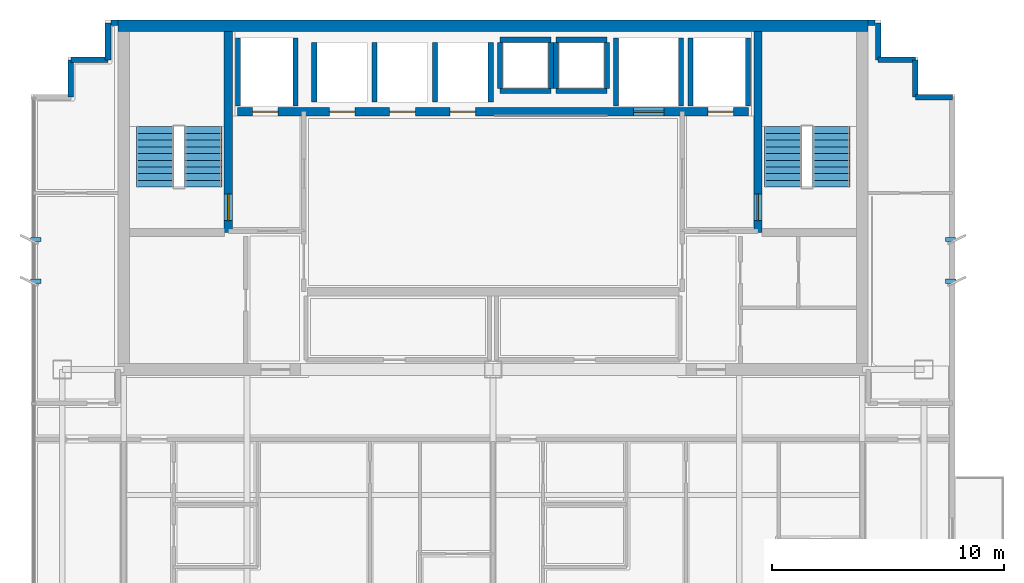
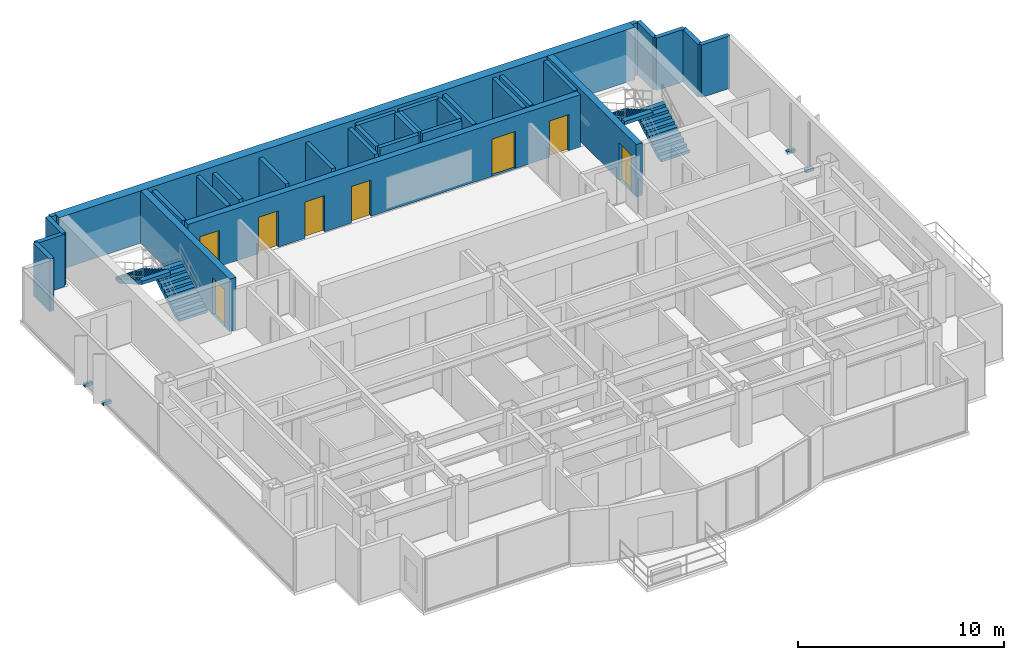
# One storey, part 9 of 11: 31 walls, 8 doors, 4 discrete accessories, 4 stair flights, 8 openings, 2 elements without a shape of their own.
"""IFC4 building model written with IfcOpenShell, lengths in metres."""

from ifc_helpers import new_model, si_unit, direction, frame, frame_2d, origin, origin_2d, place, context, subcontext, project, spatial, polyline, rectangle, outline, extrude, source, transform, mapped, material, layer, layer_set, type_object, element, fill, aggregate, save


model = new_model("IFC4")

# Units and contexts
model_context = context("Model", 3, precision=1e-05, world=origin(), true_north=direction((0.0, 1.0)))
body_context = subcontext(model_context, "Body", "Model", "MODEL_VIEW")
ifc_project = project(units=[si_unit("LENGTHUNIT", "METRE"), si_unit("AREAUNIT", "SQUARE_METRE"), si_unit("VOLUMEUNIT", "CUBIC_METRE"), si_unit("PLANEANGLEUNIT", "RADIAN"), si_unit("MASSUNIT", "GRAM", prefix="KILO")], contexts=[model_context])

# Site, building, storey
site_placement = place(None, origin())
site = spatial("IfcSite", under=ifc_project, at=site_placement, CompositionType="ELEMENT")
building_placement = place(site_placement, origin())
building = spatial("IfcBuilding", under=site, at=building_placement, Name="Qianlan Lanfeng Residences", CompositionType="ELEMENT")
storey_placement = place(building_placement, frame((0.0, 0.0, 226.39990234375)))
storey = spatial("IfcBuildingStorey", under=building, at=storey_placement, Name="L62", CompositionType="ELEMENT", Elevation=226.39990234375)

# Wall, opening, door
ifc_material_1 = material(Name="Concrete C49", Category="concrete")
ifc_layer_1 = layer(ifc_material_1, 0.35009765625)
ifc_layer_set_1 = layer_set([ifc_layer_1], Name="Concrete C49")
wall_type_1 = type_object("IfcWallType", Name="CW-RC-350", PredefinedType="SHEAR", material=ifc_layer_set_1)
wall_1_placement = place(storey_placement, frame((15.10009765625, 31.10009765625, 0.0), z_axis=(0.0, 0.0, 1.0), x_axis=(0.0, 1.0, 0.0)))
wall_1 = element("IfcWall", 1, at=wall_1_placement, inside=storey, type_object=wall_type_1, Name="L62 Core Shear Wall ST1E", PredefinedType="SHEAR", context=body_context, shape_type="SweptSolid", body=[
    extrude(rectangle(XDim=8.64990234375, YDim=0.35009765625, at=frame_2d((4.324951171875, 0.0))), origin(), (0.0, 0.0, 1.0), 3.110107421875),
])
opening_1_placement = place(wall_1_placement, frame((0.510009765625, 0.0, 0.0)))
opening_1 = element("IfcOpeningElement", 2, at=opening_1_placement, cuts=wall_1, Name="Opening L62-D07", PredefinedType="OPENING", context=body_context, shape_type="SweptSolid", body=[
    extrude(rectangle(XDim=1.14990234375, YDim=2.199951171875, at=frame_2d((0.574951171875, 1.10009765625))), frame((0.0, 0.18505859375, 0.0), z_axis=(0.0, -1.0, 0.0), x_axis=(1.0, 0.0, 0.0)), (0.0, 0.0, 1.0), 0.3701171875),
])
ifc_material_2 = material(Name="Painted Galvanised Steel Fire Door", Category="steel")
door_type_1 = type_object("IfcDoorType", Name="DT-ST1", OperationType="NOTDEFINED", PredefinedType="DOOR", material=ifc_material_2)
door_1_placement = place(opening_1_placement, frame((1.14990234375, 0.0, 0.0), z_axis=(0.0, 0.0, 1.0), x_axis=(-1.0, 0.0, 0.0)))
door_1 = element("IfcDoor", 3, at=door_1_placement, inside=storey, type_object=door_type_1, Name="L62 Exit Stair ST-1 Door L62-D07 (DT-ST1)", OperationType="SINGLE_SWING_RIGHT", OverallHeight=2.199951171875, OverallWidth=1.14990234375, PredefinedType="DOOR", context=body_context, shape_type="SweptSolid", body=[
    extrude(rectangle(XDim=1.14990234375, YDim=2.199951171875, at=frame_2d((0.574951171875, 1.10009765625))), frame((0.0, 0.02490234375, 0.0), z_axis=(0.0, -1.0, 0.0), x_axis=(1.0, 0.0, 0.0)), (0.0, 0.0, 1.0), 0.050048828125),
])
fill(opening_1, door_1)

wall_2_placement = place(storey_placement, frame((37.89990234375, 31.10009765625, 0.0), z_axis=(0.0, 0.0, 1.0), x_axis=(0.0, 1.0, 0.0)))
wall_2 = element("IfcWall", 4, at=wall_2_placement, inside=storey, type_object=wall_type_1, Name="L62 Core Shear Wall ST2W", PredefinedType="SHEAR", context=body_context, shape_type="SweptSolid", body=[
    extrude(rectangle(XDim=8.64990234375, YDim=0.35009765625, at=frame_2d((4.324951171875, 0.0))), origin(), (0.0, 0.0, 1.0), 3.110107421875),
])
opening_2_placement = place(wall_2_placement, frame((0.510009765625, 0.0, 0.0)))
opening_2 = element("IfcOpeningElement", 5, at=opening_2_placement, cuts=wall_2, Name="Opening L62-D08", PredefinedType="OPENING", context=body_context, shape_type="SweptSolid", body=[
    extrude(rectangle(XDim=1.14990234375, YDim=2.199951171875, at=frame_2d((0.574951171875, 1.10009765625))), frame((0.0, 0.18505859375, 0.0), z_axis=(0.0, -1.0, 0.0), x_axis=(1.0, 0.0, 0.0)), (0.0, 0.0, 1.0), 0.3701171875),
])
door_2_placement = place(opening_2_placement, origin())
door_2 = element("IfcDoor", 6, at=door_2_placement, inside=storey, type_object=door_type_1, Name="L62 Exit Stair ST-2 Door L62-D08 (DT-ST1)", OperationType="SINGLE_SWING_RIGHT", OverallHeight=2.199951171875, OverallWidth=1.14990234375, PredefinedType="DOOR", context=body_context, shape_type="SweptSolid", body=[
    extrude(rectangle(XDim=1.14990234375, YDim=2.199951171875, at=frame_2d((0.574951171875, 1.10009765625))), frame((0.0, 0.02490234375, 0.0), z_axis=(0.0, -1.0, 0.0), x_axis=(1.0, 0.0, 0.0)), (0.0, 0.0, 1.0), 0.050048828125),
])
fill(opening_2, door_2)

# Wall, openings, doors
wall_3_placement = place(storey_placement, frame((15.5, 36.300048828125, 0.0), z_axis=(0.0, 0.0, 1.0), x_axis=(1.0, 0.0, 0.0)))
wall_3 = element("IfcWall", 7, at=wall_3_placement, inside=storey, type_object=wall_type_1, Name="L62 Core Shear Wall LBN", PredefinedType="SHEAR", context=body_context, shape_type="SweptSolid", body=[
    extrude(rectangle(XDim=22.0, YDim=0.35009765625, at=frame_2d((11.0, 0.0))), origin(), (0.0, 0.0, 1.0), 3.110107421875),
])
opening_3_placement = place(wall_3_placement, frame((0.64990234375, 0.0, 0.0)))
opening_3 = element("IfcOpeningElement", 8, at=opening_3_placement, cuts=wall_3, Name="Opening L62-LD-FFL-1", PredefinedType="OPENING", context=body_context, shape_type="SweptSolid", body=[
    extrude(rectangle(XDim=1.10009765625, YDim=2.14990234375, at=frame_2d((0.550048828125, 1.074951171875))), frame((0.0, 0.18505859375, 0.0), z_axis=(0.0, -1.0, 0.0), x_axis=(1.0, 0.0, 0.0)), (0.0, 0.0, 1.0), 0.3701171875),
])
opening_4_placement = place(wall_3_placement, frame((20.25, 0.0, 0.0)))
opening_4 = element("IfcOpeningElement", 9, at=opening_4_placement, cuts=wall_3, Name="Opening L62-LD-FFL-2", PredefinedType="OPENING", context=body_context, shape_type="SweptSolid", body=[
    extrude(rectangle(XDim=1.10009765625, YDim=2.14990234375, at=frame_2d((0.550048828125, 1.074951171875))), frame((0.0, 0.18505859375, 0.0), z_axis=(0.0, -1.0, 0.0), x_axis=(1.0, 0.0, 0.0)), (0.0, 0.0, 1.0), 0.3701171875),
])
opening_5_placement = place(wall_3_placement, frame((17.050048828125, 0.0, 0.0)))
opening_5 = element("IfcOpeningElement", 10, at=opening_5_placement, cuts=wall_3, Name="Opening L62-LD-SVL-1", PredefinedType="OPENING", context=body_context, shape_type="SweptSolid", body=[
    extrude(rectangle(XDim=1.300048828125, YDim=2.199951171875, at=frame_2d((0.64990234375, 1.10009765625))), frame((0.0, 0.18505859375, 0.0), z_axis=(0.0, -1.0, 0.0), x_axis=(1.0, 0.0, 0.0)), (0.0, 0.0, 1.0), 0.3701171875),
])
opening_6_placement = place(wall_3_placement, frame((3.949951171875, 0.0, 0.0)))
opening_6 = element("IfcOpeningElement", 11, at=opening_6_placement, cuts=wall_3, Name="Opening L62-LD-PL-H1", PredefinedType="OPENING", context=body_context, shape_type="SweptSolid", body=[
    extrude(rectangle(XDim=1.10009765625, YDim=2.14990234375, at=frame_2d((0.550048828125, 1.074951171875))), frame((0.0, 0.18505859375, 0.0), z_axis=(0.0, -1.0, 0.0), x_axis=(1.0, 0.0, 0.0)), (0.0, 0.0, 1.0), 0.3701171875),
])
opening_7_placement = place(wall_3_placement, frame((6.550048828125, 0.0, 0.0)))
opening_7 = element("IfcOpeningElement", 12, at=opening_7_placement, cuts=wall_3, Name="Opening L62-LD-PL-H2", PredefinedType="OPENING", context=body_context, shape_type="SweptSolid", body=[
    extrude(rectangle(XDim=1.10009765625, YDim=2.14990234375, at=frame_2d((0.550048828125, 1.074951171875))), frame((0.0, 0.18505859375, 0.0), z_axis=(0.0, -1.0, 0.0), x_axis=(1.0, 0.0, 0.0)), (0.0, 0.0, 1.0), 0.3701171875),
])
opening_8_placement = place(wall_3_placement, frame((9.14990234375, 0.0, 0.0)))
opening_8 = element("IfcOpeningElement", 13, at=opening_8_placement, cuts=wall_3, Name="Opening L62-LD-PL-H3", PredefinedType="OPENING", context=body_context, shape_type="SweptSolid", body=[
    extrude(rectangle(XDim=1.10009765625, YDim=2.14990234375, at=frame_2d((0.550048828125, 1.074951171875))), frame((0.0, 0.18505859375, 0.0), z_axis=(0.0, -1.0, 0.0), x_axis=(1.0, 0.0, 0.0)), (0.0, 0.0, 1.0), 0.3701171875),
])
ifc_material_3 = material(Name="Brushed Stainless Steel Sliding Lift Door", Category="steel")
door_type_2 = type_object("IfcDoorType", Name="LD-01", OperationType="NOTDEFINED", PredefinedType="DOOR", material=ifc_material_3)
door_3_placement = place(opening_3_placement, frame((1.10009765625, 0.0, 0.0), z_axis=(0.0, 0.0, 1.0), x_axis=(-1.0, 0.0, 0.0)))
door_3 = element("IfcDoor", 14, at=door_3_placement, inside=storey, type_object=door_type_2, Name="L62 Elevator FFL-1 Sliding Landing Door", OperationType="DOUBLE_DOOR_SLIDING", OverallHeight=2.14990234375, OverallWidth=1.10009765625, PredefinedType="DOOR", context=body_context, shape_type="SweptSolid", body=[
    extrude(rectangle(XDim=1.10009765625, YDim=2.14990234375, at=frame_2d((0.550048828125, 1.074951171875))), frame((0.0, 0.02490234375, 0.0), z_axis=(0.0, -1.0, 0.0), x_axis=(1.0, 0.0, 0.0)), (0.0, 0.0, 1.0), 0.050048828125),
])
fill(opening_3, door_3)
door_4_placement = place(opening_4_placement, frame((1.10009765625, 0.0, 0.0), z_axis=(0.0, 0.0, 1.0), x_axis=(-1.0, 0.0, 0.0)))
door_4 = element("IfcDoor", 15, at=door_4_placement, inside=storey, type_object=door_type_2, Name="L62 Elevator FFL-2 Sliding Landing Door", OperationType="DOUBLE_DOOR_SLIDING", OverallHeight=2.14990234375, OverallWidth=1.10009765625, PredefinedType="DOOR", context=body_context, shape_type="SweptSolid", body=[
    extrude(rectangle(XDim=1.10009765625, YDim=2.14990234375, at=frame_2d((0.550048828125, 1.074951171875))), frame((0.0, 0.02490234375, 0.0), z_axis=(0.0, -1.0, 0.0), x_axis=(1.0, 0.0, 0.0)), (0.0, 0.0, 1.0), 0.050048828125),
])
fill(opening_4, door_4)
door_5_placement = place(opening_6_placement, frame((1.10009765625, 0.0, 0.0), z_axis=(0.0, 0.0, 1.0), x_axis=(-1.0, 0.0, 0.0)))
door_5 = element("IfcDoor", 16, at=door_5_placement, inside=storey, type_object=door_type_2, Name="L62 Elevator PL-H1 Sliding Landing Door", OperationType="DOUBLE_DOOR_SLIDING", OverallHeight=2.14990234375, OverallWidth=1.10009765625, PredefinedType="DOOR", context=body_context, shape_type="SweptSolid", body=[
    extrude(rectangle(XDim=1.10009765625, YDim=2.14990234375, at=frame_2d((0.550048828125, 1.074951171875))), frame((0.0, 0.02490234375, 0.0), z_axis=(0.0, -1.0, 0.0), x_axis=(1.0, 0.0, 0.0)), (0.0, 0.0, 1.0), 0.050048828125),
])
fill(opening_6, door_5)
door_6_placement = place(opening_7_placement, frame((1.10009765625, 0.0, 0.0), z_axis=(0.0, 0.0, 1.0), x_axis=(-1.0, 0.0, 0.0)))
door_6 = element("IfcDoor", 17, at=door_6_placement, inside=storey, type_object=door_type_2, Name="L62 Elevator PL-H2 Sliding Landing Door", OperationType="DOUBLE_DOOR_SLIDING", OverallHeight=2.14990234375, OverallWidth=1.10009765625, PredefinedType="DOOR", context=body_context, shape_type="SweptSolid", body=[
    extrude(rectangle(XDim=1.10009765625, YDim=2.14990234375, at=frame_2d((0.550048828125, 1.074951171875))), frame((0.0, 0.02490234375, 0.0), z_axis=(0.0, -1.0, 0.0), x_axis=(1.0, 0.0, 0.0)), (0.0, 0.0, 1.0), 0.050048828125),
])
fill(opening_7, door_6)
door_7_placement = place(opening_8_placement, frame((1.10009765625, 0.0, 0.0), z_axis=(0.0, 0.0, 1.0), x_axis=(-1.0, 0.0, 0.0)))
door_7 = element("IfcDoor", 18, at=door_7_placement, inside=storey, type_object=door_type_2, Name="L62 Elevator PL-H3 Sliding Landing Door", OperationType="DOUBLE_DOOR_SLIDING", OverallHeight=2.14990234375, OverallWidth=1.10009765625, PredefinedType="DOOR", context=body_context, shape_type="SweptSolid", body=[
    extrude(rectangle(XDim=1.10009765625, YDim=2.14990234375, at=frame_2d((0.550048828125, 1.074951171875))), frame((0.0, 0.02490234375, 0.0), z_axis=(0.0, -1.0, 0.0), x_axis=(1.0, 0.0, 0.0)), (0.0, 0.0, 1.0), 0.050048828125),
])
fill(opening_8, door_7)
door_type_3 = type_object("IfcDoorType", Name="LD-02", OperationType="NOTDEFINED", PredefinedType="DOOR", material=ifc_material_3)
door_8_placement = place(opening_5_placement, frame((1.300048828125, 0.0, 0.0), z_axis=(0.0, 0.0, 1.0), x_axis=(-1.0, 0.0, 0.0)))
door_8 = element("IfcDoor", 19, at=door_8_placement, inside=storey, type_object=door_type_3, Name="L62 Elevator SVL-1 Sliding Landing Door", OperationType="DOUBLE_DOOR_SLIDING", OverallHeight=2.199951171875, OverallWidth=1.300048828125, PredefinedType="DOOR", context=body_context, shape_type="SweptSolid", body=[
    extrude(rectangle(XDim=1.300048828125, YDim=2.199951171875, at=frame_2d((0.64990234375, 1.10009765625))), frame((0.0, 0.02490234375, 0.0), z_axis=(0.0, -1.0, 0.0), x_axis=(1.0, 0.0, 0.0)), (0.0, 0.0, 1.0), 0.050048828125),
])
fill(opening_5, door_8)

# Walls
ifc_material_4 = material(Name="Concrete C70", Category="concrete")
ifc_layer_2 = layer(ifc_material_4, 0.5)
ifc_layer_set_2 = layer_set([ifc_layer_2], Name="Concrete C70")
wall_type_2 = type_object("IfcWallType", Name="CW-RC-500", PredefinedType="SHEAR", material=ifc_layer_set_2)
wall_4_placement = place(storey_placement, frame((10.35009765625, 40.0, 0.0), z_axis=(0.0, 0.0, 1.0), x_axis=(1.0, 0.0, 0.0)))
element("IfcWall", 20, at=wall_4_placement, inside=storey, type_object=wall_type_2, Name="L62 Core Shear Wall N", PredefinedType="SHEAR", context=body_context, shape_type="SweptSolid", body=[
    extrude(rectangle(XDim=32.2998046875, YDim=0.5, at=frame_2d((16.14990234375, 0.0))), origin(), (0.0, 0.0, 1.0), 3.110107421875),
])
ifc_material_5 = material(Name="Concrete C42", Category="concrete")
ifc_layer_3 = layer(ifc_material_5, 0.239990234375)
ifc_layer_set_3 = layer_set([ifc_layer_3], Name="Concrete C42")
wall_type_3 = type_object("IfcWallType", Name="EW-240", PredefinedType="SOLIDWALL", material=ifc_layer_set_3)
for number, where, z_axis, x_axis, name in (
    (21, (46.280029296875, 36.929931640625, 0.0), (0.0, 0.0, 1.0), (-1.0, 0.0, 0.0), "L62 Exterior Facade Spandrel Wall 13"),
    (22, (44.679931640625, 36.929931640625, 0.0), (0.0, 0.0, 1.0), (0.0, 1.0, 0.0), "L62 Exterior Facade Spandrel Wall 14"),
):
    element("IfcWall", number, at=place(storey_placement, frame(where, z_axis=z_axis, x_axis=x_axis)), inside=storey, type_object=wall_type_3, Name=name, PredefinedType="SOLIDWALL", context=body_context, shape_type="SweptSolid", body=[
        extrude(rectangle(XDim=1.60009765625, YDim=0.239990234375, at=frame_2d((0.800048828125, 0.0))), origin(), (0.0, 0.0, 1.0), 3.110107421875),
    ])
for number, where, z_axis, x_axis, name in (
    (23, (44.679931640625, 38.530029296875, 0.0), (0.0, 0.0, 1.0), (-1.0, 0.0, 0.0), "L62 Exterior Facade Spandrel Wall 15"),
    (24, (43.080078125, 38.530029296875, 0.0), (0.0, 0.0, 1.0), (0.0, 1.0, 0.0), "L62 Exterior Facade Spandrel Wall 16"),
):
    element("IfcWall", number, at=place(storey_placement, frame(where, z_axis=z_axis, x_axis=x_axis)), inside=storey, type_object=wall_type_3, Name=name, PredefinedType="SOLIDWALL", context=body_context, shape_type="SweptSolid", body=[
        extrude(rectangle(XDim=1.599853515625, YDim=0.239990234375, at=frame_2d((0.7998046875, 0.0))), origin(), (0.0, 0.0, 1.0), 3.110107421875),
    ])
for number, where, z_axis, x_axis, name in (
    (25, (42.949951171875, 40.1298828125, 0.0), (0.0, 0.0, 1.0), (-1.0, 0.0, 0.0), "L62 North Wing Exterior Wall E"),
    (26, (10.35009765625, 40.1298828125, 0.0), (0.0, 0.0, 1.0), (-1.0, 0.0, 0.0), "L62 North Wing Exterior Wall W"),
):
    element("IfcWall", number, at=place(storey_placement, frame(where, z_axis=z_axis, x_axis=x_axis)), inside=storey, type_object=wall_type_3, Name=name, PredefinedType="SOLIDWALL", context=body_context, shape_type="SweptSolid", body=[
        extrude(rectangle(XDim=0.300048828125, YDim=0.239990234375, at=frame_2d((0.14990234375, 0.0))), origin(), (0.0, 0.0, 1.0), 3.110107421875),
    ])
for number, where, z_axis, x_axis, name in (
    (27, (9.919921875, 40.1298828125, 0.0), (0.0, 0.0, 1.0), (0.0, -1.0, 0.0), "L62 Exterior Facade Spandrel Wall 19"),
    (28, (9.919921875, 38.530029296875, 0.0), (0.0, 0.0, 1.0), (-1.0, 0.0, 0.0), "L62 Exterior Facade Spandrel Wall 20"),
):
    element("IfcWall", number, at=place(storey_placement, frame(where, z_axis=z_axis, x_axis=x_axis)), inside=storey, type_object=wall_type_3, Name=name, PredefinedType="SOLIDWALL", context=body_context, shape_type="SweptSolid", body=[
        extrude(rectangle(XDim=1.599853515625, YDim=0.239990234375, at=frame_2d((0.7998046875, 0.0))), origin(), (0.0, 0.0, 1.0), 3.110107421875),
    ])
wall_5_placement = place(storey_placement, frame((8.320068359375, 38.530029296875, 0.0), z_axis=(0.0, 0.0, 1.0), x_axis=(0.0, -1.0, 0.0)))
element("IfcWall", 29, at=wall_5_placement, inside=storey, type_object=wall_type_3, Name="L62 Exterior Facade Spandrel Wall 21", PredefinedType="SOLIDWALL", context=body_context, shape_type="SweptSolid", body=[
    extrude(rectangle(XDim=1.60009765625, YDim=0.239990234375, at=frame_2d((0.800048828125, 0.0))), origin(), (0.0, 0.0, 1.0), 3.110107421875),
])
ifc_layer_4 = layer(ifc_material_1, 0.219970703125)
ifc_layer_set_4 = layer_set([ifc_layer_4], Name="Concrete C49")
wall_type_4 = type_object("IfcWallType", Name="SHW-220", PredefinedType="SOLIDWALL", material=ifc_layer_set_4)
for number, where, z_axis, x_axis, name in (
    (30, (15.52001953125, 36.550048828125, 0.0), (0.0, 0.0, 1.0), (0.0, 1.0, 0.0), "L62 Lift FFL-1 Shaft Wall W"),
    (31, (18.0, 36.550048828125, 0.0), (0.0, 0.0, 1.0), (0.0, 1.0, 0.0), "L62 Lift FFL-1 Shaft Wall E"),
    (32, (35.0, 36.550048828125, 0.0), (0.0, 0.0, 1.0), (0.0, 1.0, 0.0), "L62 Lift FFL-2 Shaft Wall W"),
    (33, (37.47998046875, 36.550048828125, 0.0), (0.0, 0.0, 1.0), (0.0, 1.0, 0.0), "L62 Lift FFL-2 Shaft Wall E"),
    (34, (31.800048828125, 36.550048828125, 0.0), (0.0, 0.0, 1.0), (0.0, 1.0, 0.0), "L62 Lift SVL-1 Shaft Wall W"),
    (35, (34.60009765625, 36.550048828125, 0.0), (0.0, 0.0, 1.0), (0.0, 1.0, 0.0), "L62 Lift SVL-1 Shaft Wall E"),
):
    element("IfcWall", number, at=place(storey_placement, frame(where, z_axis=z_axis, x_axis=x_axis)), inside=storey, type_object=wall_type_4, Name=name, PredefinedType="SOLIDWALL", context=body_context, shape_type="SweptSolid", body=[
        extrude(rectangle(XDim=2.929931640625, YDim=0.219970703125, at=frame_2d((1.46484375, 0.0))), origin(), (0.0, 0.0, 1.0), 3.110107421875),
    ])
for number, where, z_axis, x_axis, name in (
    (36, (18.800048828125, 36.719970703125, 0.0), (0.0, 0.0, 1.0), (0.0, 1.0, 0.0), "L62 Lift PL-H1 Shaft Wall W"),
    (37, (21.39990234375, 36.719970703125, 0.0), (0.0, 0.0, 1.0), (0.0, 1.0, 0.0), "L62 Lift PL-H2 Shaft Wall W"),
    (38, (24.0, 36.719970703125, 0.0), (0.0, 0.0, 1.0), (0.0, 1.0, 0.0), "L62 Lift PL-H3 Shaft Wall W"),
    (39, (26.39990234375, 36.719970703125, 0.0), (0.0, 0.0, 1.0), (0.0, 1.0, 0.0), "L62 Lift PL-H3 Shaft Wall E"),
):
    element("IfcWall", number, at=place(storey_placement, frame(where, z_axis=z_axis, x_axis=x_axis)), inside=storey, type_object=wall_type_4, Name=name, PredefinedType="SOLIDWALL", context=body_context, shape_type="SweptSolid", body=[
        extrude(rectangle(XDim=2.56005859375, YDim=0.219970703125, at=frame_2d((1.280029296875, 0.0))), origin(), (0.0, 0.0, 1.0), 3.110107421875),
    ])
for number, where, z_axis, x_axis, name in (
    (40, (26.800048828125, 37.31005859375, 0.0), (0.0, 0.0, 1.0), (0.0, 1.0, 0.0), "L62 MEP Riser MEP-R1 Shaft Wall W"),
    (41, (29.0, 37.31005859375, 0.0), (0.0, 0.0, 1.0), (0.0, 1.0, 0.0), "L62 MEP Riser MEP-R1 Shaft Wall E"),
):
    element("IfcWall", number, at=place(storey_placement, frame(where, z_axis=z_axis, x_axis=x_axis)), inside=storey, type_object=wall_type_4, Name=name, PredefinedType="SOLIDWALL", context=body_context, shape_type="SweptSolid", body=[
        extrude(rectangle(XDim=1.97998046875, YDim=0.219970703125, at=frame_2d((0.989990234375, 0.0))), origin(), (0.0, 0.0, 1.0), 3.110107421875),
    ])
for number, where, z_axis, x_axis, name in (
    (42, (26.800048828125, 39.39990234375, 0.0), (0.0, 0.0, 1.0), (1.0, 0.0, 0.0), "L62 MEP Riser MEP-R1 Shaft Wall N"),
    (43, (26.800048828125, 37.199951171875, 0.0), (0.0, 0.0, 1.0), (1.0, 0.0, 0.0), "L62 MEP Riser MEP-R1 Shaft Wall S"),
):
    element("IfcWall", number, at=place(storey_placement, frame(where, z_axis=z_axis, x_axis=x_axis)), inside=storey, type_object=wall_type_4, Name=name, PredefinedType="SOLIDWALL", context=body_context, shape_type="SweptSolid", body=[
        extrude(rectangle(XDim=2.199951171875, YDim=0.219970703125, at=frame_2d((1.10009765625, 0.0))), origin(), (0.0, 0.0, 1.0), 3.110107421875),
    ])
for number, where, z_axis, x_axis, name in (
    (44, (29.199951171875, 37.31005859375, 0.0), (0.0, 0.0, 1.0), (0.0, 1.0, 0.0), "L62 MEP Riser MEP-R2 Shaft Wall W"),
    (45, (31.39990234375, 37.31005859375, 0.0), (0.0, 0.0, 1.0), (0.0, 1.0, 0.0), "L62 MEP Riser MEP-R2 Shaft Wall E"),
):
    element("IfcWall", number, at=place(storey_placement, frame(where, z_axis=z_axis, x_axis=x_axis)), inside=storey, type_object=wall_type_4, Name=name, PredefinedType="SOLIDWALL", context=body_context, shape_type="SweptSolid", body=[
        extrude(rectangle(XDim=1.97998046875, YDim=0.219970703125, at=frame_2d((0.989990234375, 0.0))), origin(), (0.0, 0.0, 1.0), 3.110107421875),
    ])
for number, where, z_axis, x_axis, name in (
    (46, (29.199951171875, 39.39990234375, 0.0), (0.0, 0.0, 1.0), (1.0, 0.0, 0.0), "L62 MEP Riser MEP-R2 Shaft Wall N"),
    (47, (29.199951171875, 37.199951171875, 0.0), (0.0, 0.0, 1.0), (1.0, 0.0, 0.0), "L62 MEP Riser MEP-R2 Shaft Wall S"),
):
    element("IfcWall", number, at=place(storey_placement, frame(where, z_axis=z_axis, x_axis=x_axis)), inside=storey, type_object=wall_type_4, Name=name, PredefinedType="SOLIDWALL", context=body_context, shape_type="SweptSolid", body=[
        extrude(rectangle(XDim=2.199951171875, YDim=0.219970703125, at=frame_2d((1.10009765625, 0.0))), origin(), (0.0, 0.0, 1.0), 3.110107421875),
    ])

# Stair, stair flights
stair_type = type_object("IfcStairType", Name="STR-MAIN", PredefinedType="HALF_TURN_STAIR", material=ifc_material_5)
stair_1_placement = place(storey_placement, origin())
stair_1 = element("IfcStair", 48, at=stair_1_placement, inside=storey, type_object=stair_type, Name="L62 Exit Stair ST-1", PredefinedType="HALF_TURN_STAIR")
stair_flight_type = type_object("IfcStairFlightType", Name="FLT-1720", PredefinedType="STRAIGHT", material=ifc_material_5)
stair_flight_1_placement = place(storey_placement, frame((14.02001953125, 33.050048828125, 0.0), z_axis=(0.0, 0.0, 1.0), x_axis=(0.0, 1.0, 0.0)))
stair_flight_1 = element("IfcStairFlight", 49, at=stair_flight_1_placement, type_object=stair_flight_type, Name="ST-1 flight 1", NumberOfRisers=10, NumberOfTreads=9, PredefinedType="STRAIGHT", RiserHeight=0.165, TreadLength=0.29, context=body_context, shape_type="SweptSolid", body=[
    extrude(outline(polyline([(0.0, 0.0), (0.0, 0.1650390625), (0.2900390625, 0.1650390625), (0.2900390625, 0.330078125), (0.580078125, 0.330078125), (0.580078125, 0.4951171875), (0.8701171875, 0.4951171875), (0.8701171875, 0.659912109375), (1.159912109375, 0.659912109375), (1.159912109375, 0.824951171875), (1.449951171875, 0.824951171875), (1.449951171875, 0.989990234375), (1.739990234375, 0.989990234375), (1.739990234375, 1.155029296875), (2.030029296875, 1.155029296875), (2.030029296875, 1.320068359375), (2.320068359375, 1.320068359375), (2.320068359375, 1.485107421875), (2.610107421875, 1.485107421875), (2.610107421875, 1.64990234375), (2.610107421875, 1.278076171875), (0.36376953125, 0.0), (0.0, 0.0)])), frame((0.0, 0.800048828125, 0.0), z_axis=(0.0, -1.0, 0.0), x_axis=(1.0, 0.0, 0.0)), (0.0, 0.0, 1.0), 1.60009765625),
])
stair_flight_2_placement = place(storey_placement, frame((11.93994140625, 35.659912109375, 1.650146484375), z_axis=(0.0, 0.0, 1.0), x_axis=(0.0, -1.0, 0.0)))
stair_flight_2 = element("IfcStairFlight", 50, at=stair_flight_2_placement, type_object=stair_flight_type, Name="ST-1 flight 2", NumberOfRisers=10, NumberOfTreads=9, PredefinedType="STRAIGHT", RiserHeight=0.165, TreadLength=0.29, context=body_context, shape_type="SweptSolid", body=[
    extrude(outline(polyline([(0.0, 0.0), (0.0, 0.1650390625), (0.2900390625, 0.1650390625), (0.2900390625, 0.330078125), (0.580078125, 0.330078125), (0.580078125, 0.4951171875), (0.8701171875, 0.4951171875), (0.8701171875, 0.659912109375), (1.159912109375, 0.659912109375), (1.159912109375, 0.824951171875), (1.449951171875, 0.824951171875), (1.449951171875, 0.989990234375), (1.739990234375, 0.989990234375), (1.739990234375, 1.155029296875), (2.030029296875, 1.155029296875), (2.030029296875, 1.320068359375), (2.320068359375, 1.320068359375), (2.320068359375, 1.485107421875), (2.610107421875, 1.485107421875), (2.610107421875, 1.64990234375), (2.610107421875, 1.278076171875), (0.36376953125, 0.0), (0.0, 0.0)])), frame((0.0, 0.800048828125, 0.0), z_axis=(0.0, -1.0, 0.0), x_axis=(1.0, 0.0, 0.0)), (0.0, 0.0, 1.0), 1.60009765625),
])
aggregate(stair_1, [stair_flight_1, stair_flight_2])

stair_2_placement = place(storey_placement, origin())
stair_2 = element("IfcStair", 51, at=stair_2_placement, inside=storey, type_object=stair_type, Name="L62 Exit Stair ST-2", PredefinedType="HALF_TURN_STAIR")
stair_flight_3_placement = place(storey_placement, frame((41.06005859375, 33.050048828125, 0.0), z_axis=(0.0, 0.0, 1.0), x_axis=(0.0, 1.0, 0.0)))
stair_flight_3 = element("IfcStairFlight", 52, at=stair_flight_3_placement, type_object=stair_flight_type, Name="ST-2 flight 1", NumberOfRisers=10, NumberOfTreads=9, PredefinedType="STRAIGHT", RiserHeight=0.165, TreadLength=0.29, context=body_context, shape_type="SweptSolid", body=[
    extrude(outline(polyline([(0.0, 0.0), (0.0, 0.1650390625), (0.2900390625, 0.1650390625), (0.2900390625, 0.330078125), (0.580078125, 0.330078125), (0.580078125, 0.4951171875), (0.8701171875, 0.4951171875), (0.8701171875, 0.659912109375), (1.159912109375, 0.659912109375), (1.159912109375, 0.824951171875), (1.449951171875, 0.824951171875), (1.449951171875, 0.989990234375), (1.739990234375, 0.989990234375), (1.739990234375, 1.155029296875), (2.030029296875, 1.155029296875), (2.030029296875, 1.320068359375), (2.320068359375, 1.320068359375), (2.320068359375, 1.485107421875), (2.610107421875, 1.485107421875), (2.610107421875, 1.64990234375), (2.610107421875, 1.278076171875), (0.36376953125, 0.0), (0.0, 0.0)])), frame((0.0, 0.800048828125, 0.0), z_axis=(0.0, -1.0, 0.0), x_axis=(1.0, 0.0, 0.0)), (0.0, 0.0, 1.0), 1.60009765625),
])
stair_flight_4_placement = place(storey_placement, frame((38.97998046875, 35.659912109375, 1.650146484375), z_axis=(0.0, 0.0, 1.0), x_axis=(0.0, -1.0, 0.0)))
stair_flight_4 = element("IfcStairFlight", 53, at=stair_flight_4_placement, type_object=stair_flight_type, Name="ST-2 flight 2", NumberOfRisers=10, NumberOfTreads=9, PredefinedType="STRAIGHT", RiserHeight=0.165, TreadLength=0.29, context=body_context, shape_type="SweptSolid", body=[
    extrude(outline(polyline([(0.0, 0.0), (0.0, 0.1650390625), (0.2900390625, 0.1650390625), (0.2900390625, 0.330078125), (0.580078125, 0.330078125), (0.580078125, 0.4951171875), (0.8701171875, 0.4951171875), (0.8701171875, 0.659912109375), (1.159912109375, 0.659912109375), (1.159912109375, 0.824951171875), (1.449951171875, 0.824951171875), (1.449951171875, 0.989990234375), (1.739990234375, 0.989990234375), (1.739990234375, 1.155029296875), (2.030029296875, 1.155029296875), (2.030029296875, 1.320068359375), (2.320068359375, 1.320068359375), (2.320068359375, 1.485107421875), (2.610107421875, 1.485107421875), (2.610107421875, 1.64990234375), (2.610107421875, 1.278076171875), (0.36376953125, 0.0), (0.0, 0.0)])), frame((0.0, 0.800048828125, 0.0), z_axis=(0.0, -1.0, 0.0), x_axis=(1.0, 0.0, 0.0)), (0.0, 0.0, 1.0), 1.60009765625),
])
aggregate(stair_2, [stair_flight_3, stair_flight_4])

# Discrete accessories
ifc_material_6 = material(Name="Stainless Steel Facade Bracket", Category="steel")
discrete_accessory_type = type_object("IfcDiscreteAccessoryType", Name="BRK-SS-350", PredefinedType="BRACKET", material=ifc_material_6)
shared_shape = source(origin(), body_context, "Body", "SweptSolid", [
    extrude(rectangle(XDim=0.449951171875, YDim=0.179931640625, at=origin_2d()), origin(), (0.0, 0.0, 1.0), 0.179931640625),
])
for number, where, z_axis, x_axis, name in (
    (54, (6.800048828125, 29.0, -0.14990234375), (0.0, 0.0, 1.0), (1.0, 0.0, 0.0), "L62 Raked Solar Fin Support Bracket W1"),
    (55, (6.800048828125, 30.800048828125, -0.14990234375), (0.0, 0.0, 1.0), (1.0, 0.0, 0.0), "L62 Raked Solar Fin Support Bracket W2"),
    (56, (46.199951171875, 29.0, -0.14990234375), (0.0, 0.0, 1.0), (1.0, 0.0, 0.0), "L62 Raked Solar Fin Support Bracket E1"),
    (57, (46.199951171875, 30.800048828125, -0.14990234375), (0.0, 0.0, 1.0), (1.0, 0.0, 0.0), "L62 Raked Solar Fin Support Bracket E2"),
):
    element("IfcDiscreteAccessory", number, at=place(storey_placement, frame(where, z_axis=z_axis, x_axis=x_axis)), inside=storey, type_object=discrete_accessory_type, Name=name, PredefinedType="BRACKET", context=body_context, shape_type="MappedRepresentation", body=[
        mapped(shared_shape, transform((0.0, 0.0, 0.0), scale=1.0)),
    ])

save(model, "model.ifc")
